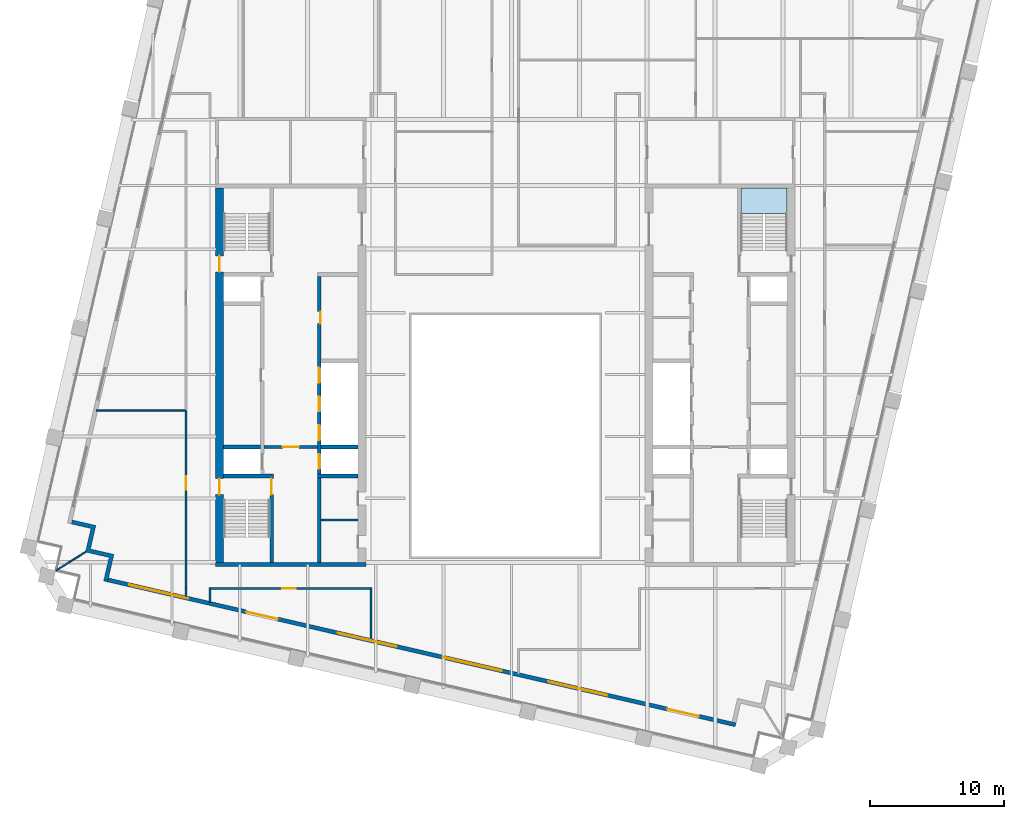
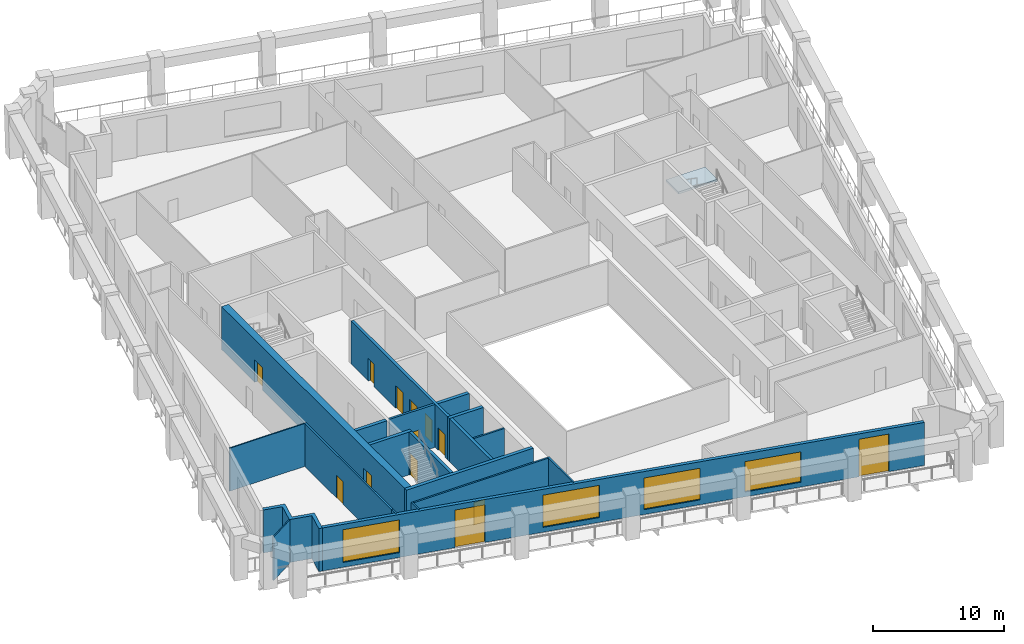
# One storey, part 3 of 10: 19 walls, 13 doors, 4 windows, 1 slab, 17 openings, 1 element without a shape of its own.
"""IFC4 building model written with IfcOpenShell, lengths in metres."""

from ifc_helpers import new_model, si_unit, direction, frame, frame_2d, origin, place, context, subcontext, project, spatial, polyline, rectangle, outline, extrude, material, layer, layer_set, type_object, element, fill, aggregate, save


model = new_model("IFC4")

# Units and contexts
model_context = context("Model", 3, precision=1e-05, world=origin(), true_north=direction((0.0, 1.0)))
body_context = subcontext(model_context, "Body", "Model", "MODEL_VIEW")
ifc_project = project(units=[si_unit("LENGTHUNIT", "METRE"), si_unit("AREAUNIT", "SQUARE_METRE"), si_unit("VOLUMEUNIT", "CUBIC_METRE"), si_unit("PLANEANGLEUNIT", "RADIAN"), si_unit("MASSUNIT", "GRAM", prefix="KILO")], contexts=[model_context])

# Site, building, storey
site_placement = place(None, origin())
site = spatial("IfcSite", under=ifc_project, at=site_placement, CompositionType="ELEMENT")
building_placement = place(site_placement, origin())
building = spatial("IfcBuilding", under=site, at=building_placement, Name="Ogive Exchange Tower", CompositionType="ELEMENT")
storey_placement = place(building_placement, frame((0.0, 0.0, 280.800048828125)))
storey = spatial("IfcBuildingStorey", under=building, at=storey_placement, Name="L61", CompositionType="ELEMENT", Elevation=280.800048828125)

# Stair, slab
ifc_material_1 = material(Name="Concrete C40/50", Category="concrete")
stair_type = type_object("IfcStairType", Name="Exit stair 1650 wide", PredefinedType="HALF_TURN_STAIR", material=ifc_material_1)
stair_placement = place(storey_placement, origin())
stair = element("IfcStair", 1, at=stair_placement, inside=storey, type_object=stair_type, Name="L61 exit stair ST4", PredefinedType="HALF_TURN_STAIR")
ifc_layer_1 = layer(ifc_material_1, 0.199951171875)
ifc_layer_set_1 = layer_set([ifc_layer_1], Name="Stair landing 200 slab")
slab_type = type_object("IfcSlabType", Name="Stair landing 200 slab", PredefinedType="LANDING", material=ifc_layer_set_1)
slab_placement = place(storey_placement, frame((0.0, 0.0, 1.89990234375)))
slab = element("IfcSlab", 2, at=slab_placement, type_object=slab_type, Name="ST4 landing 1", PredefinedType="LANDING", context=body_context, shape_type="SweptSolid", body=[
    extrude(outline(polyline([(21.0, 23.550048828125), (21.0, 25.449951171875), (17.550048828125, 25.449951171875), (17.550048828125, 23.550048828125), (21.0, 23.550048828125)])), origin(), (0.0, 0.0, 1.0), 0.199951171875),
])
aggregate(stair, [slab])

# Wall
ifc_material_2 = material(Name="Gypsum board partition")
ifc_layer_2 = layer(ifc_material_2, 0.14990234375)
ifc_layer_set_2 = layer_set([ifc_layer_2], Name="Core room partition 150 gypsum")
wall_type_1 = type_object("IfcWallType", Name="Core room partition 150 gypsum", PredefinedType="PARTITIONING", material=ifc_layer_set_2)
wall_1_placement = place(storey_placement, frame((-13.75, 0.699951171875, 0.0), z_axis=(0.0, 0.0, 1.0), x_axis=(1.0, 0.0, 0.0)))
element("IfcWall", 3, at=wall_1_placement, inside=storey, type_object=wall_type_1, Name="W south room partition", PredefinedType="PARTITIONING", context=body_context, shape_type="SweptSolid", body=[
    extrude(rectangle(XDim=2.75, YDim=0.14990234375, at=frame_2d((1.375, 0.0))), origin(), (0.0, 0.0, 1.0), 4.0),
])

# Wall, opening, door
ifc_material_3 = material(Name="Fire partition EI 60 150")
ifc_layer_3 = layer(ifc_material_3, 0.14990234375)
ifc_layer_set_3 = layer_set([ifc_layer_3], Name="Fire partition EI 60 150")
wall_type_2 = type_object("IfcWallType", Name="Fire partition EI 60 150", PredefinedType="PARTITIONING", material=ifc_layer_set_3)
wall_2_placement = place(storey_placement, frame((-23.800048828125, -4.39990234375, 0.0), z_axis=(0.0, 0.0, 1.0), x_axis=(0.0, 1.0, 0.0)))
wall_2 = element("IfcWall", 4, at=wall_2_placement, inside=storey, type_object=wall_type_2, Name="L61-PWL-002", PredefinedType="PARTITIONING", context=body_context, shape_type="SweptSolid", body=[
    extrude(rectangle(XDim=13.260009765625, YDim=0.14990234375, at=frame_2d((6.6298828125, 0.0))), origin(), (0.0, 0.0, 1.0), 4.0),
])
opening_1_placement = place(wall_2_placement, frame((7.360107421875, 0.0, 0.0)))
opening_1 = element("IfcOpeningElement", 5, at=opening_1_placement, cuts=wall_2, Name="Opening L61-I16", PredefinedType="OPENING", context=body_context, shape_type="SweptSolid", body=[
    extrude(rectangle(XDim=1.0, YDim=2.10009765625, at=frame_2d((0.5, 1.050048828125))), frame((0.0, 0.0849609375, 0.0), z_axis=(0.0, -1.0, 0.0), x_axis=(1.0, 0.0, 0.0)), (0.0, 0.0, 1.0), 0.169921875),
])
ifc_material_4 = material(Name="Fire door FD 30S 1000 x 2100")
door_type_1 = type_object("IfcDoorType", Name="Fire door FD 30S 1000 x 2100", OperationType="NOTDEFINED", PredefinedType="DOOR", material=ifc_material_4)
door_1_placement = place(opening_1_placement, origin())
door_1 = element("IfcDoor", 6, at=door_1_placement, inside=storey, type_object=door_type_1, Name="L61-IDR-016", ObjectType="DT3", OperationType="SINGLE_SWING_RIGHT", OverallHeight=2.10009765625, OverallWidth=1.0, PredefinedType="DOOR", context=body_context, shape_type="SweptSolid", body=[
    extrude(rectangle(XDim=1.0, YDim=2.10009765625, at=frame_2d((0.5, 1.050048828125))), frame((0.0, 0.02490234375, 0.0), z_axis=(0.0, -1.0, 0.0), x_axis=(1.0, 0.0, 0.0)), (0.0, 0.0, 1.0), 0.050048828125),
])
fill(opening_1, door_1)

# Walls
wall_3_placement = place(storey_placement, frame((-23.7900390625, -5.031982421875, 0.0), z_axis=(0.0, 0.0, 1.0), x_axis=(0.0, 1.0, 0.0)))
element("IfcWall", 7, at=wall_3_placement, inside=storey, type_object=wall_type_2, Name="L61-PWL-007", PredefinedType="PARTITIONING", context=body_context, shape_type="SweptSolid", body=[
    extrude(rectangle(XDim=0.632080078125, YDim=0.14990234375, at=frame_2d((0.31591796875, 0.0))), origin(), (0.0, 0.0, 1.0), 4.0),
])
wall_4_placement = place(storey_placement, frame((-22.030029296875, -4.324951171875, 0.0), z_axis=(0.0, 0.0, 1.0), x_axis=(0.0, -1.0, 0.0)))
element("IfcWall", 8, at=wall_4_placement, inside=storey, type_object=wall_type_2, Name="L61-PWL-009", PredefinedType="PARTITIONING", context=body_context, shape_type="SweptSolid", body=[
    extrude(rectangle(XDim=1.113037109375, YDim=0.14990234375, at=frame_2d((0.556640625, 0.0))), origin(), (0.0, 0.0, 1.0), 4.0),
])
wall_5_placement = place(storey_placement, frame((-10.0, -8.216064453125, 0.0), z_axis=(0.0, 0.0, 1.0), x_axis=(0.0, 1.0, 0.0)))
element("IfcWall", 9, at=wall_5_placement, inside=storey, type_object=wall_type_2, Name="L61-PWL-013", PredefinedType="PARTITIONING", context=body_context, shape_type="SweptSolid", body=[
    extrude(rectangle(XDim=3.89111328125, YDim=0.14990234375, at=frame_2d((1.945556640625, 0.0))), origin(), (0.0, 0.0, 1.0), 4.0),
])

# Wall, opening, door
wall_6_placement = place(storey_placement, frame((-10.074951171875, -4.39990234375, 0.0), z_axis=(0.0, 0.0, 1.0), x_axis=(-1.0, 0.0, 0.0)))
wall_6 = element("IfcWall", 10, at=wall_6_placement, inside=storey, type_object=wall_type_2, Name="L61-PWL-014", PredefinedType="PARTITIONING", context=body_context, shape_type="SweptSolid", body=[
    extrude(rectangle(XDim=11.880126953125, YDim=0.14990234375, at=frame_2d((5.93994140625, 0.0))), origin(), (0.0, 0.0, 1.0), 4.0),
])
opening_2_placement = place(wall_6_placement, frame((5.554931640625, 0.0, 0.0)))
opening_2 = element("IfcOpeningElement", 11, at=opening_2_placement, cuts=wall_6, Name="Opening L61-I15", PredefinedType="OPENING", context=body_context, shape_type="SweptSolid", body=[
    extrude(rectangle(XDim=1.0, YDim=2.10009765625, at=frame_2d((0.5, 1.050048828125))), frame((0.0, 0.0849609375, 0.0), z_axis=(0.0, -1.0, 0.0), x_axis=(1.0, 0.0, 0.0)), (0.0, 0.0, 1.0), 0.169921875),
])
door_2_placement = place(opening_2_placement, origin())
door_2 = element("IfcDoor", 12, at=door_2_placement, inside=storey, type_object=door_type_1, Name="L61-IDR-015", ObjectType="DT3", OperationType="SINGLE_SWING_RIGHT", OverallHeight=2.10009765625, OverallWidth=1.0, PredefinedType="DOOR", context=body_context, shape_type="SweptSolid", body=[
    extrude(rectangle(XDim=1.0, YDim=2.10009765625, at=frame_2d((0.5, 1.050048828125))), frame((0.0, 0.02490234375, 0.0), z_axis=(0.0, -1.0, 0.0), x_axis=(1.0, 0.0, 0.0)), (0.0, 0.0, 1.0), 0.050048828125),
])
fill(opening_2, door_2)

# Wall, openings, doors, windows
ifc_material_5 = material(Name="Precast concrete C40/50", Category="concrete")
ifc_layer_4 = layer(ifc_material_5, 0.300048828125)
ifc_layer_set_4 = layer_set([ifc_layer_4], Name="Limestone-faced wall 300")
wall_type_3 = type_object("IfcWallType", Name="Limestone-faced wall 300", PredefinedType="STANDARD", material=ifc_layer_set_4)
wall_7_placement = place(storey_placement, frame((-29.6162109375, -3.75830078125, 0.0), z_axis=(0.0, 0.0, 1.0), x_axis=(0.974370532314, -0.224949029246, 0.0)))
wall_7 = element("IfcWall", 13, at=wall_7_placement, inside=storey, type_object=wall_type_3, Name="External wall S1", PredefinedType="STANDARD", context=body_context, shape_type="SweptSolid", body=[
    extrude(rectangle(XDim=48.000244140625, YDim=0.300048828125, at=frame_2d((24.0, 0.0))), origin(), (0.0, 0.0, 1.0), 4.0),
])
opening_3_placement = place(wall_7_placement, frame((1.625, 0.0, 0.449951171875)))
opening_3 = element("IfcOpeningElement", 14, at=opening_3_placement, cuts=wall_7, Name="Opening W1", PredefinedType="OPENING", context=body_context, shape_type="SweptSolid", body=[
    extrude(rectangle(XDim=4.5, YDim=3.050048828125, at=frame_2d((2.25, 1.52490234375))), frame((0.0, 0.159912109375, 0.0), z_axis=(0.0, -1.0, 0.0), x_axis=(1.0, 0.0, 0.0)), (0.0, 0.0, 1.0), 0.320068359375),
])
opening_4_placement = place(wall_7_placement, frame((10.574951171875, 0.0, 0.0)))
opening_4 = element("IfcOpeningElement", 15, at=opening_4_placement, cuts=wall_7, Name="Opening D1", PredefinedType="OPENING", context=body_context, shape_type="SweptSolid", body=[
    extrude(rectangle(XDim=2.39990234375, YDim=3.5, at=frame_2d((1.199951171875, 1.75))), frame((0.0, 0.159912109375, 0.0), z_axis=(0.0, -1.0, 0.0), x_axis=(1.0, 0.0, 0.0)), (0.0, 0.0, 1.0), 0.320068359375),
])
opening_5_placement = place(wall_7_placement, frame((17.574951171875, 0.0, 0.449951171875)))
opening_5 = element("IfcOpeningElement", 16, at=opening_5_placement, cuts=wall_7, Name="Opening W1A", PredefinedType="OPENING", context=body_context, shape_type="SweptSolid", body=[
    extrude(rectangle(XDim=4.5, YDim=3.0, at=frame_2d((2.25, 1.5))), frame((0.0, 0.159912109375, 0.0), z_axis=(0.0, -1.0, 0.0), x_axis=(1.0, 0.0, 0.0)), (0.0, 0.0, 1.0), 0.320068359375),
])
opening_6_placement = place(wall_7_placement, frame((25.625, 0.0, 0.449951171875)))
opening_6 = element("IfcOpeningElement", 17, at=opening_6_placement, cuts=wall_7, Name="Opening W1B", PredefinedType="OPENING", context=body_context, shape_type="SweptSolid", body=[
    extrude(rectangle(XDim=4.5, YDim=2.949951171875, at=frame_2d((2.25, 1.47509765625))), frame((0.0, 0.159912109375, 0.0), z_axis=(0.0, -1.0, 0.0), x_axis=(1.0, 0.0, 0.0)), (0.0, 0.0, 1.0), 0.320068359375),
])
opening_7_placement = place(wall_7_placement, frame((33.675048828125, 0.0, 0.449951171875)))
opening_7 = element("IfcOpeningElement", 18, at=opening_7_placement, cuts=wall_7, Name="Opening W1E", PredefinedType="OPENING", context=body_context, shape_type="SweptSolid", body=[
    extrude(rectangle(XDim=4.5, YDim=2.824951171875, at=frame_2d((2.25, 1.41259765625))), frame((0.0, 0.159912109375, 0.0), z_axis=(0.0, -1.0, 0.0), x_axis=(1.0, 0.0, 0.0)), (0.0, 0.0, 1.0), 0.320068359375),
])
opening_8_placement = place(wall_7_placement, frame((42.77490234375, 0.0, 0.0)))
opening_8 = element("IfcOpeningElement", 19, at=opening_8_placement, cuts=wall_7, Name="Opening D1", PredefinedType="OPENING", context=body_context, shape_type="SweptSolid", body=[
    extrude(rectangle(XDim=2.39990234375, YDim=3.5, at=frame_2d((1.199951171875, 1.75))), frame((0.0, 0.159912109375, 0.0), z_axis=(0.0, -1.0, 0.0), x_axis=(1.0, 0.0, 0.0)), (0.0, 0.0, 1.0), 0.320068359375),
])
ifc_material_6 = material(Name="Clear glass in bronze frame", Category="glass")
door_type_2 = type_object("IfcDoorType", Name="Sliding loggia door 2400 x 3500", OperationType="DOUBLE_DOOR_SLIDING", PredefinedType="DOOR", material=ifc_material_6)
door_3_placement = place(opening_4_placement, origin())
door_3 = element("IfcDoor", 20, at=door_3_placement, inside=storey, type_object=door_type_2, Name="Loggia door S01", OperationType="DOUBLE_DOOR_SLIDING", OverallHeight=3.5, OverallWidth=2.39990234375, PredefinedType="DOOR", context=body_context, shape_type="SweptSolid", body=[
    extrude(rectangle(XDim=2.39990234375, YDim=3.5, at=frame_2d((1.199951171875, 1.75))), frame((0.0, 0.02490234375, 0.0), z_axis=(0.0, -1.0, 0.0), x_axis=(1.0, 0.0, 0.0)), (0.0, 0.0, 1.0), 0.050048828125),
])
fill(opening_4, door_3)
door_4_placement = place(opening_8_placement, origin())
door_4 = element("IfcDoor", 21, at=door_4_placement, inside=storey, type_object=door_type_2, Name="Loggia door S05", OperationType="DOUBLE_DOOR_SLIDING", OverallHeight=3.5, OverallWidth=2.39990234375, PredefinedType="DOOR", context=body_context, shape_type="SweptSolid", body=[
    extrude(rectangle(XDim=2.39990234375, YDim=3.5, at=frame_2d((1.199951171875, 1.75))), frame((0.0, 0.02490234375, 0.0), z_axis=(0.0, -1.0, 0.0), x_axis=(1.0, 0.0, 0.0)), (0.0, 0.0, 1.0), 0.050048828125),
])
fill(opening_8, door_4)
window_type_1 = type_object("IfcWindowType", Name="Twin lancet window 4500 x 2825", PartitioningType="DOUBLE_PANEL_VERTICAL", PredefinedType="WINDOW", material=ifc_material_6)
window_1_placement = place(opening_7_placement, origin())
window_1 = element("IfcWindow", 22, at=window_1_placement, inside=storey, type_object=window_type_1, Name="Window S04", OverallHeight=2.824951171875, OverallWidth=4.5, PartitioningType="DOUBLE_PANEL_VERTICAL", PredefinedType="WINDOW", context=body_context, shape_type="SweptSolid", body=[
    extrude(rectangle(XDim=4.5, YDim=2.824951171875, at=frame_2d((2.25, 1.41259765625))), frame((0.0, 0.030029296875, 0.0), z_axis=(0.0, -1.0, 0.0), x_axis=(1.0, 0.0, 0.0)), (0.0, 0.0, 1.0), 0.06005859375),
])
fill(opening_7, window_1)
window_type_2 = type_object("IfcWindowType", Name="Twin lancet window 4500 x 2950", PartitioningType="DOUBLE_PANEL_VERTICAL", PredefinedType="WINDOW", material=ifc_material_6)
window_2_placement = place(opening_6_placement, origin())
window_2 = element("IfcWindow", 23, at=window_2_placement, inside=storey, type_object=window_type_2, Name="Window S03", OverallHeight=2.949951171875, OverallWidth=4.5, PartitioningType="DOUBLE_PANEL_VERTICAL", PredefinedType="WINDOW", context=body_context, shape_type="SweptSolid", body=[
    extrude(rectangle(XDim=4.5, YDim=2.949951171875, at=frame_2d((2.25, 1.47509765625))), frame((0.0, 0.030029296875, 0.0), z_axis=(0.0, -1.0, 0.0), x_axis=(1.0, 0.0, 0.0)), (0.0, 0.0, 1.0), 0.06005859375),
])
fill(opening_6, window_2)
window_type_3 = type_object("IfcWindowType", Name="Twin lancet window 4500 x 3000", PartitioningType="DOUBLE_PANEL_VERTICAL", PredefinedType="WINDOW", material=ifc_material_6)
window_3_placement = place(opening_5_placement, origin())
window_3 = element("IfcWindow", 24, at=window_3_placement, inside=storey, type_object=window_type_3, Name="Window S02", OverallHeight=3.0, OverallWidth=4.5, PartitioningType="DOUBLE_PANEL_VERTICAL", PredefinedType="WINDOW", context=body_context, shape_type="SweptSolid", body=[
    extrude(rectangle(XDim=4.5, YDim=3.0, at=frame_2d((2.25, 1.5))), frame((0.0, 0.030029296875, 0.0), z_axis=(0.0, -1.0, 0.0), x_axis=(1.0, 0.0, 0.0)), (0.0, 0.0, 1.0), 0.06005859375),
])
fill(opening_5, window_3)
window_type_4 = type_object("IfcWindowType", Name="Twin lancet window 4500 x 3050", PartitioningType="DOUBLE_PANEL_VERTICAL", PredefinedType="WINDOW", material=ifc_material_6)
window_4_placement = place(opening_3_placement, origin())
window_4 = element("IfcWindow", 25, at=window_4_placement, inside=storey, type_object=window_type_4, Name="Window S00", OverallHeight=3.050048828125, OverallWidth=4.5, PartitioningType="DOUBLE_PANEL_VERTICAL", PredefinedType="WINDOW", context=body_context, shape_type="SweptSolid", body=[
    extrude(rectangle(XDim=4.5, YDim=3.050048828125, at=frame_2d((2.25, 1.52490234375))), frame((0.0, 0.030029296875, 0.0), z_axis=(0.0, -1.0, 0.0), x_axis=(1.0, 0.0, 0.0)), (0.0, 0.0, 1.0), 0.06005859375),
])
fill(opening_3, window_4)

# Walls
wall_8_placement = place(storey_placement, origin())
element("IfcWall", 26, at=wall_8_placement, inside=storey, type_object=wall_type_3, Name="External corner wall C4", PredefinedType="STANDARD", context=body_context, shape_type="SweptSolid", body=[
    extrude(outline(polyline([(-31.291015625, -1.67822265625), (-30.88623046875, 0.07568359375), (-32.34765625, 0.4130859375), (-32.2802734375, 0.705322265625), (-30.5263671875, 0.300537109375), (-30.931396484375, -1.453369140625), (-29.177490234375, -1.8583984375), (-29.64990234375, -3.904541015625), (-29.942138671875, -3.8369140625), (-29.537109375, -2.0830078125), (-31.291015625, -1.67822265625)])), origin(), (0.0, 0.0, 1.0), 4.0),
])
ifc_material_7 = material(Name="Laminated safety glass in steel frame", Category="steel")
ifc_layer_5 = layer(ifc_material_7, 0.10009765625)
ifc_layer_set_5 = layer_set([ifc_layer_5], Name="Loggia end screen 100")
wall_type_4 = type_object("IfcWallType", Name="Loggia end screen 100", PredefinedType="STANDARD", material=ifc_layer_set_5)
wall_9_placement = place(storey_placement, frame((-31.291015625, -1.67822265625, -0.050048828125), z_axis=(0.0, 0.0, 1.0), x_axis=(-0.84807753525, -0.529872148923, 0.0)))
element("IfcWall", 27, at=wall_9_placement, inside=storey, type_object=wall_type_4, Name="Loggia end screen C4", PredefinedType="STANDARD", context=body_context, shape_type="SweptSolid", body=[
    extrude(rectangle(XDim=2.596435546875, YDim=0.10009765625, at=frame_2d((1.29833984375, 0.0))), origin(), (0.0, 0.0, 1.0), 4.050048828125),
])
ifc_material_8 = material(Name="Partition 100 gypsum")
ifc_layer_6 = layer(ifc_material_8, 0.10009765625)
ifc_layer_set_6 = layer_set([ifc_layer_6], Name="Partition 100 gypsum")
wall_type_5 = type_object("IfcWallType", Name="Partition 100 gypsum", PredefinedType="PARTITIONING", material=ifc_layer_set_6)
wall_10_placement = place(storey_placement, frame((-23.875, 8.860107421875, 0.0), z_axis=(0.0, 0.0, 1.0), x_axis=(-1.0, 0.0, 0.0)))
element("IfcWall", 28, at=wall_10_placement, inside=storey, type_object=wall_type_5, Name="L61-PWL-003", PredefinedType="PARTITIONING", context=body_context, shape_type="SweptSolid", body=[
    extrude(rectangle(XDim=6.60498046875, YDim=0.10009765625, at=frame_2d((3.302490234375, 0.0))), origin(), (0.0, 0.0, 1.0), 4.0),
])

# Wall, opening, door
ifc_material_9 = material(Name="Concrete C70/85", Category="concrete")
ifc_layer_7 = layer(ifc_material_9, 0.199951171875)
ifc_layer_set_7 = layer_set([ifc_layer_7], Name="RC core wall 200 C70/85")
wall_type_6 = type_object("IfcWallType", Name="RC core wall 200 C70/85", PredefinedType="SHEAR", material=ifc_layer_set_7)
wall_11_placement = place(storey_placement, frame((-18.0, 6.142822265625, 0.0), z_axis=(0.0, 0.0, 1.0), x_axis=(1.0, 0.0, 0.0)))
wall_11 = element("IfcWall", 29, at=wall_11_placement, inside=storey, type_object=wall_type_6, Name="W firefighting lobby wall", PredefinedType="SHEAR", context=body_context, shape_type="SweptSolid", body=[
    extrude(rectangle(XDim=4.0, YDim=0.199951171875, at=frame_2d((2.0, 0.0))), origin(), (0.0, 0.0, 1.0), 4.0),
])
opening_9_placement = place(wall_11_placement, frame((1.39990234375, 0.0, 0.0)))
opening_9 = element("IfcOpeningElement", 30, at=opening_9_placement, cuts=wall_11, Name="Opening L61-C09", PredefinedType="OPENING", context=body_context, shape_type="SweptSolid", body=[
    extrude(rectangle(XDim=1.199951171875, YDim=2.10009765625, at=frame_2d((0.60009765625, 1.050048828125))), frame((0.0, 0.10986328125, 0.0), z_axis=(0.0, -1.0, 0.0), x_axis=(1.0, 0.0, 0.0)), (0.0, 0.0, 1.0), 0.219970703125),
])
ifc_material_10 = material(Name="Steel fire door", Category="steel")
door_type_3 = type_object("IfcDoorType", Name="Firefighting lobby door FD60 1200 x 2100", OperationType="NOTDEFINED", PredefinedType="DOOR", material=ifc_material_10)
door_5_placement = place(opening_9_placement, frame((1.199951171875, 0.0, 0.0), z_axis=(0.0, 0.0, 1.0), x_axis=(-1.0, 0.0, 0.0)))
door_5 = element("IfcDoor", 31, at=door_5_placement, inside=storey, type_object=door_type_3, Name="Firefighting lobby door", ObjectType="CD3", OperationType="SINGLE_SWING_LEFT", OverallHeight=2.10009765625, OverallWidth=1.199951171875, PredefinedType="DOOR", context=body_context, shape_type="SweptSolid", body=[
    extrude(rectangle(XDim=1.199951171875, YDim=2.10009765625, at=frame_2d((0.60009765625, 1.050048828125))), frame((0.0, 0.02490234375, 0.0), z_axis=(0.0, -1.0, 0.0), x_axis=(1.0, 0.0, 0.0)), (0.0, 0.0, 1.0), 0.050048828125),
])
fill(opening_9, door_5)

ifc_layer_8 = layer(ifc_material_9, 0.25)
ifc_layer_set_8 = layer_set([ifc_layer_8], Name="RC core wall 250 C70/85")
wall_type_7 = type_object("IfcWallType", Name="RC core wall 250 C70/85", PredefinedType="SHEAR", material=ifc_layer_set_8)
wall_12_placement = place(storey_placement, frame((-17.425048828125, -2.449951171875, 0.0), z_axis=(0.0, 0.0, 1.0), x_axis=(0.0, 1.0, 0.0)))
wall_12 = element("IfcWall", 32, at=wall_12_placement, inside=storey, type_object=wall_type_7, Name="W stair S front wall", PredefinedType="SHEAR", context=body_context, shape_type="SweptSolid", body=[
    extrude(rectangle(XDim=6.300048828125, YDim=0.25, at=frame_2d((3.14990234375, 0.0))), origin(), (0.0, 0.0, 1.0), 4.0),
])
opening_10_placement = place(wall_12_placement, frame((5.050048828125, 0.0, 0.0)))
opening_10 = element("IfcOpeningElement", 33, at=opening_10_placement, cuts=wall_12, Name="Opening L61-C11", PredefinedType="OPENING", context=body_context, shape_type="SweptSolid", body=[
    extrude(rectangle(XDim=1.199951171875, YDim=2.10009765625, at=frame_2d((0.60009765625, 1.050048828125))), frame((0.0, 0.135009765625, 0.0), z_axis=(0.0, -1.0, 0.0), x_axis=(1.0, 0.0, 0.0)), (0.0, 0.0, 1.0), 0.27001953125),
])
door_type_4 = type_object("IfcDoorType", Name="Stair door FD90 1200 x 2100", OperationType="NOTDEFINED", PredefinedType="DOOR", material=ifc_material_10)
door_6_placement = place(opening_10_placement, origin())
door_6 = element("IfcDoor", 34, at=door_6_placement, inside=storey, type_object=door_type_4, Name="Stair door", ObjectType="CD5", OperationType="SINGLE_SWING_LEFT", OverallHeight=2.10009765625, OverallWidth=1.199951171875, PredefinedType="DOOR", context=body_context, shape_type="SweptSolid", body=[
    extrude(rectangle(XDim=1.199951171875, YDim=2.10009765625, at=frame_2d((0.60009765625, 1.050048828125))), frame((0.0, 0.02490234375, 0.0), z_axis=(0.0, -1.0, 0.0), x_axis=(1.0, 0.0, 0.0)), (0.0, 0.0, 1.0), 0.050048828125),
])
fill(opening_10, door_6)

# Wall, openings, doors
wall_13_placement = place(storey_placement, frame((-13.875, -2.449951171875, 0.0), z_axis=(0.0, 0.0, 1.0), x_axis=(0.0, 1.0, 0.0)))
wall_13 = element("IfcWall", 35, at=wall_13_placement, inside=storey, type_object=wall_type_7, Name="W row B front wall", PredefinedType="SHEAR", context=body_context, shape_type="SweptSolid", body=[
    extrude(rectangle(XDim=21.300048828125, YDim=0.25, at=frame_2d((10.64990234375, 0.0))), origin(), (0.0, 0.0, 1.0), 4.0),
])
opening_11_placement = place(wall_13_placement, frame((17.78564453125, 0.0, 0.0)))
opening_11 = element("IfcOpeningElement", 36, at=opening_11_placement, cuts=wall_13, Name="Opening L61-C04", PredefinedType="OPENING", context=body_context, shape_type="SweptSolid", body=[
    extrude(rectangle(XDim=0.89990234375, YDim=2.10009765625, at=frame_2d((0.449951171875, 1.050048828125))), frame((0.0, 0.135009765625, 0.0), z_axis=(0.0, -1.0, 0.0), x_axis=(1.0, 0.0, 0.0)), (0.0, 0.0, 1.0), 0.27001953125),
])
opening_12_placement = place(wall_13_placement, frame((6.971435546875, 0.0, 0.0)))
opening_12 = element("IfcOpeningElement", 37, at=opening_12_placement, cuts=wall_13, Name="Opening L61-C05", PredefinedType="OPENING", context=body_context, shape_type="SweptSolid", body=[
    extrude(rectangle(XDim=1.10009765625, YDim=2.10009765625, at=frame_2d((0.550048828125, 1.050048828125))), frame((0.0, 0.135009765625, 0.0), z_axis=(0.0, -1.0, 0.0), x_axis=(1.0, 0.0, 0.0)), (0.0, 0.0, 1.0), 0.27001953125),
])
opening_13_placement = place(wall_13_placement, frame((9.1142578125, 0.0, 0.0)))
opening_13 = element("IfcOpeningElement", 38, at=opening_13_placement, cuts=wall_13, Name="Opening L61-C06", PredefinedType="OPENING", context=body_context, shape_type="SweptSolid", body=[
    extrude(rectangle(XDim=1.10009765625, YDim=2.10009765625, at=frame_2d((0.550048828125, 1.050048828125))), frame((0.0, 0.135009765625, 0.0), z_axis=(0.0, -1.0, 0.0), x_axis=(1.0, 0.0, 0.0)), (0.0, 0.0, 1.0), 0.27001953125),
])
opening_14_placement = place(wall_13_placement, frame((11.257080078125, 0.0, 0.0)))
opening_14 = element("IfcOpeningElement", 39, at=opening_14_placement, cuts=wall_13, Name="Opening L61-C07", PredefinedType="OPENING", context=body_context, shape_type="SweptSolid", body=[
    extrude(rectangle(XDim=1.10009765625, YDim=2.10009765625, at=frame_2d((0.550048828125, 1.050048828125))), frame((0.0, 0.135009765625, 0.0), z_axis=(0.0, -1.0, 0.0), x_axis=(1.0, 0.0, 0.0)), (0.0, 0.0, 1.0), 0.27001953125),
])
opening_15_placement = place(wall_13_placement, frame((13.39990234375, 0.0, 0.0)))
opening_15 = element("IfcOpeningElement", 40, at=opening_15_placement, cuts=wall_13, Name="Opening L61-C08", PredefinedType="OPENING", context=body_context, shape_type="SweptSolid", body=[
    extrude(rectangle(XDim=1.10009765625, YDim=2.10009765625, at=frame_2d((0.550048828125, 1.050048828125))), frame((0.0, 0.135009765625, 0.0), z_axis=(0.0, -1.0, 0.0), x_axis=(1.0, 0.0, 0.0)), (0.0, 0.0, 1.0), 0.27001953125),
])
ifc_material_11 = material(Name="Stainless steel", Category="steel")
door_type_5 = type_object("IfcDoorType", Name="Lift landing door FD90 1100 x 2100", OperationType="SLIDING_TO_LEFT", PredefinedType="DOOR", material=ifc_material_11)
door_7_placement = place(opening_12_placement, origin())
door_7 = element("IfcDoor", 41, at=door_7_placement, inside=storey, type_object=door_type_5, Name="Lift landing door SV1", ObjectType="LD", OperationType="SLIDING_TO_LEFT", OverallHeight=2.10009765625, OverallWidth=1.10009765625, PredefinedType="DOOR", context=body_context, shape_type="SweptSolid", body=[
    extrude(rectangle(XDim=1.10009765625, YDim=2.10009765625, at=frame_2d((0.550048828125, 1.050048828125))), frame((0.0, 0.02490234375, 0.0), z_axis=(0.0, -1.0, 0.0), x_axis=(1.0, 0.0, 0.0)), (0.0, 0.0, 1.0), 0.050048828125),
])
fill(opening_12, door_7)
door_8_placement = place(opening_13_placement, origin())
door_8 = element("IfcDoor", 42, at=door_8_placement, inside=storey, type_object=door_type_5, Name="Lift landing door W-M1", ObjectType="LD", OperationType="SLIDING_TO_LEFT", OverallHeight=2.10009765625, OverallWidth=1.10009765625, PredefinedType="DOOR", context=body_context, shape_type="SweptSolid", body=[
    extrude(rectangle(XDim=1.10009765625, YDim=2.10009765625, at=frame_2d((0.550048828125, 1.050048828125))), frame((0.0, 0.02490234375, 0.0), z_axis=(0.0, -1.0, 0.0), x_axis=(1.0, 0.0, 0.0)), (0.0, 0.0, 1.0), 0.050048828125),
])
fill(opening_13, door_8)
door_9_placement = place(opening_14_placement, origin())
door_9 = element("IfcDoor", 43, at=door_9_placement, inside=storey, type_object=door_type_5, Name="Lift landing door W-M2", ObjectType="LD", OperationType="SLIDING_TO_LEFT", OverallHeight=2.10009765625, OverallWidth=1.10009765625, PredefinedType="DOOR", context=body_context, shape_type="SweptSolid", body=[
    extrude(rectangle(XDim=1.10009765625, YDim=2.10009765625, at=frame_2d((0.550048828125, 1.050048828125))), frame((0.0, 0.02490234375, 0.0), z_axis=(0.0, -1.0, 0.0), x_axis=(1.0, 0.0, 0.0)), (0.0, 0.0, 1.0), 0.050048828125),
])
fill(opening_14, door_9)
door_10_placement = place(opening_15_placement, origin())
door_10 = element("IfcDoor", 44, at=door_10_placement, inside=storey, type_object=door_type_5, Name="Lift landing door W-M3", ObjectType="LD", OperationType="SLIDING_TO_LEFT", OverallHeight=2.10009765625, OverallWidth=1.10009765625, PredefinedType="DOOR", context=body_context, shape_type="SweptSolid", body=[
    extrude(rectangle(XDim=1.10009765625, YDim=2.10009765625, at=frame_2d((0.550048828125, 1.050048828125))), frame((0.0, 0.02490234375, 0.0), z_axis=(0.0, -1.0, 0.0), x_axis=(1.0, 0.0, 0.0)), (0.0, 0.0, 1.0), 0.050048828125),
])
fill(opening_15, door_10)
door_type_6 = type_object("IfcDoorType", Name="Riser door FD60 900 x 2100", OperationType="NOTDEFINED", PredefinedType="DOOR", material=ifc_material_10)
door_11_placement = place(opening_11_placement, frame((0.89990234375, -0.2001953125, 0.0), z_axis=(0.0, 0.0, 1.0), x_axis=(-1.0, 0.0, 0.0)))
door_11 = element("IfcDoor", 45, at=door_11_placement, inside=storey, type_object=door_type_6, Name="Riser door", ObjectType="CD2", OperationType="SINGLE_SWING_RIGHT", OverallHeight=2.10009765625, OverallWidth=0.89990234375, PredefinedType="DOOR", context=body_context, shape_type="SweptSolid", body=[
    extrude(rectangle(XDim=0.89990234375, YDim=2.10009765625, at=frame_2d((0.449951171875, 1.050048828125))), frame((0.0, -0.0751953125, 0.0), z_axis=(0.0, -1.0, 0.0), x_axis=(1.0, 0.0, 0.0)), (0.0, 0.0, 1.0), 0.050048828125),
])
fill(opening_11, door_11)

# Walls
ifc_layer_9 = layer(ifc_material_9, 0.300048828125)
ifc_layer_set_9 = layer_set([ifc_layer_9], Name="RC core wall 300 C70/85")
wall_type_8 = type_object("IfcWallType", Name="RC core wall 300 C70/85", PredefinedType="SHEAR", material=ifc_layer_set_9)
wall_14_placement = place(storey_placement, frame((-21.60009765625, -2.60009765625, 0.0), z_axis=(0.0, 0.0, 1.0), x_axis=(1.0, 0.0, 0.0)))
element("IfcWall", 46, at=wall_14_placement, inside=storey, type_object=wall_type_8, Name="W south end wall", PredefinedType="SHEAR", context=body_context, shape_type="SweptSolid", body=[
    extrude(rectangle(XDim=11.2001953125, YDim=0.300048828125, at=frame_2d((5.60009765625, 0.0))), origin(), (0.0, 0.0, 1.0), 4.0),
])
wall_15_placement = place(storey_placement, frame((-21.0, 4.0, 0.0), z_axis=(0.0, 0.0, 1.0), x_axis=(1.0, 0.0, 0.0)))
element("IfcWall", 47, at=wall_15_placement, inside=storey, type_object=wall_type_8, Name="W stair S north wall", PredefinedType="SHEAR", context=body_context, shape_type="SweptSolid", body=[
    extrude(rectangle(XDim=3.699951171875, YDim=0.300048828125, at=frame_2d((1.85009765625, 0.0))), origin(), (0.0, 0.0, 1.0), 4.0),
])
wall_16_placement = place(storey_placement, frame((-21.0, 6.142822265625, 0.0), z_axis=(0.0, 0.0, 1.0), x_axis=(1.0, 0.0, 0.0)))
element("IfcWall", 48, at=wall_16_placement, inside=storey, type_object=wall_type_8, Name="W row A divider 1", PredefinedType="SHEAR", context=body_context, shape_type="SweptSolid", body=[
    extrude(rectangle(XDim=2.75, YDim=0.300048828125, at=frame_2d((1.375, 0.0))), origin(), (0.0, 0.0, 1.0), 4.0),
])
wall_17_placement = place(storey_placement, frame((-14.0, 4.0, 0.0), z_axis=(0.0, 0.0, 1.0), x_axis=(1.0, 0.0, 0.0)))
element("IfcWall", 49, at=wall_17_placement, inside=storey, type_object=wall_type_8, Name="W row B divider 0", PredefinedType="SHEAR", context=body_context, shape_type="SweptSolid", body=[
    extrude(rectangle(XDim=3.0, YDim=0.300048828125, at=frame_2d((1.5, 0.0))), origin(), (0.0, 0.0, 1.0), 4.0),
])
wall_18_placement = place(storey_placement, frame((-13.75, 6.142822265625, 0.0), z_axis=(0.0, 0.0, 1.0), x_axis=(1.0, 0.0, 0.0)))
element("IfcWall", 50, at=wall_18_placement, inside=storey, type_object=wall_type_8, Name="W row B divider 1", PredefinedType="SHEAR", context=body_context, shape_type="SweptSolid", body=[
    extrude(rectangle(XDim=2.75, YDim=0.300048828125, at=frame_2d((1.375, 0.0))), origin(), (0.0, 0.0, 1.0), 4.0),
])

# Wall, openings, doors
ifc_layer_10 = layer(ifc_material_9, 0.60009765625)
ifc_layer_set_10 = layer_set([ifc_layer_10], Name="RC core wall 600 C70/85")
wall_type_9 = type_object("IfcWallType", Name="RC core wall 600 C70/85", PredefinedType="SHEAR", material=ifc_layer_set_10)
wall_19_placement = place(storey_placement, frame((-21.300048828125, -2.449951171875, 0.0), z_axis=(0.0, 0.0, 1.0), x_axis=(0.0, 1.0, 0.0)))
wall_19 = element("IfcWall", 51, at=wall_19_placement, inside=storey, type_object=wall_type_9, Name="W outer wall", PredefinedType="SHEAR", context=body_context, shape_type="SweptSolid", body=[
    extrude(rectangle(XDim=27.89990234375, YDim=0.60009765625, at=frame_2d((13.949951171875, 0.0))), origin(), (0.0, 0.0, 1.0), 4.0),
])
opening_16_placement = place(wall_19_placement, frame((5.050048828125, 0.0, 0.0)))
opening_16 = element("IfcOpeningElement", 52, at=opening_16_placement, cuts=wall_19, Name="Opening L61-C12", PredefinedType="OPENING", context=body_context, shape_type="SweptSolid", body=[
    extrude(rectangle(XDim=1.199951171875, YDim=2.10009765625, at=frame_2d((0.60009765625, 1.050048828125))), frame((0.0, 0.31005859375, 0.0), z_axis=(0.0, -1.0, 0.0), x_axis=(1.0, 0.0, 0.0)), (0.0, 0.0, 1.0), 0.6201171875),
])
opening_17_placement = place(wall_19_placement, frame((21.64990234375, 0.0, 0.0)))
opening_17 = element("IfcOpeningElement", 53, at=opening_17_placement, cuts=wall_19, Name="Opening L61-C14", PredefinedType="OPENING", context=body_context, shape_type="SweptSolid", body=[
    extrude(rectangle(XDim=1.199951171875, YDim=2.10009765625, at=frame_2d((0.60009765625, 1.050048828125))), frame((0.0, 0.31005859375, 0.0), z_axis=(0.0, -1.0, 0.0), x_axis=(1.0, 0.0, 0.0)), (0.0, 0.0, 1.0), 0.6201171875),
])
door_12_placement = place(opening_16_placement, origin())
door_12 = element("IfcDoor", 54, at=door_12_placement, inside=storey, type_object=door_type_4, Name="Stair door", ObjectType="CD5", OperationType="SINGLE_SWING_LEFT", OverallHeight=2.10009765625, OverallWidth=1.199951171875, PredefinedType="DOOR", context=body_context, shape_type="SweptSolid", body=[
    extrude(rectangle(XDim=1.199951171875, YDim=2.10009765625, at=frame_2d((0.60009765625, 1.050048828125))), frame((0.0, 0.02490234375, 0.0), z_axis=(0.0, -1.0, 0.0), x_axis=(1.0, 0.0, 0.0)), (0.0, 0.0, 1.0), 0.050048828125),
])
fill(opening_16, door_12)
door_13_placement = place(opening_17_placement, origin())
door_13 = element("IfcDoor", 55, at=door_13_placement, inside=storey, type_object=door_type_4, Name="Stair door", ObjectType="CD5", OperationType="SINGLE_SWING_RIGHT", OverallHeight=2.10009765625, OverallWidth=1.199951171875, PredefinedType="DOOR", context=body_context, shape_type="SweptSolid", body=[
    extrude(rectangle(XDim=1.199951171875, YDim=2.10009765625, at=frame_2d((0.60009765625, 1.050048828125))), frame((0.0, 0.02490234375, 0.0), z_axis=(0.0, -1.0, 0.0), x_axis=(1.0, 0.0, 0.0)), (0.0, 0.0, 1.0), 0.050048828125),
])
fill(opening_17, door_13)

save(model, "model.ifc")
